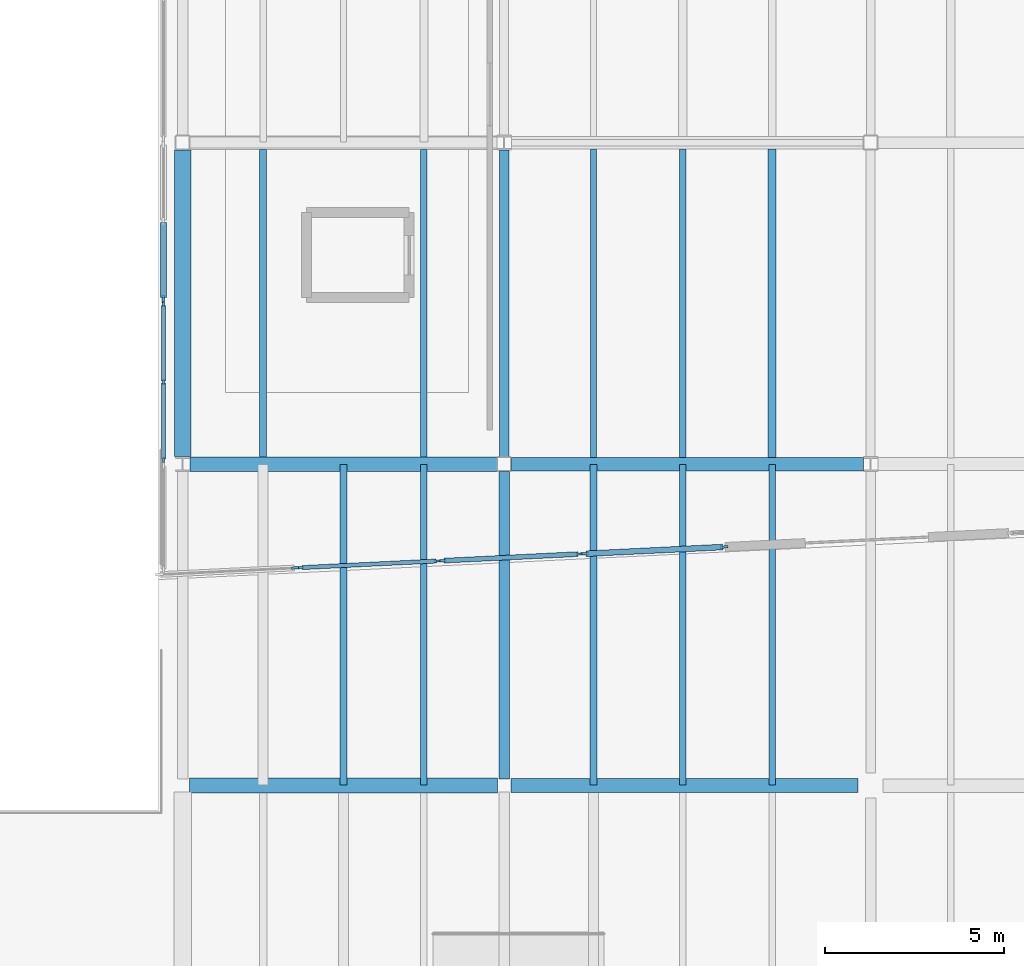
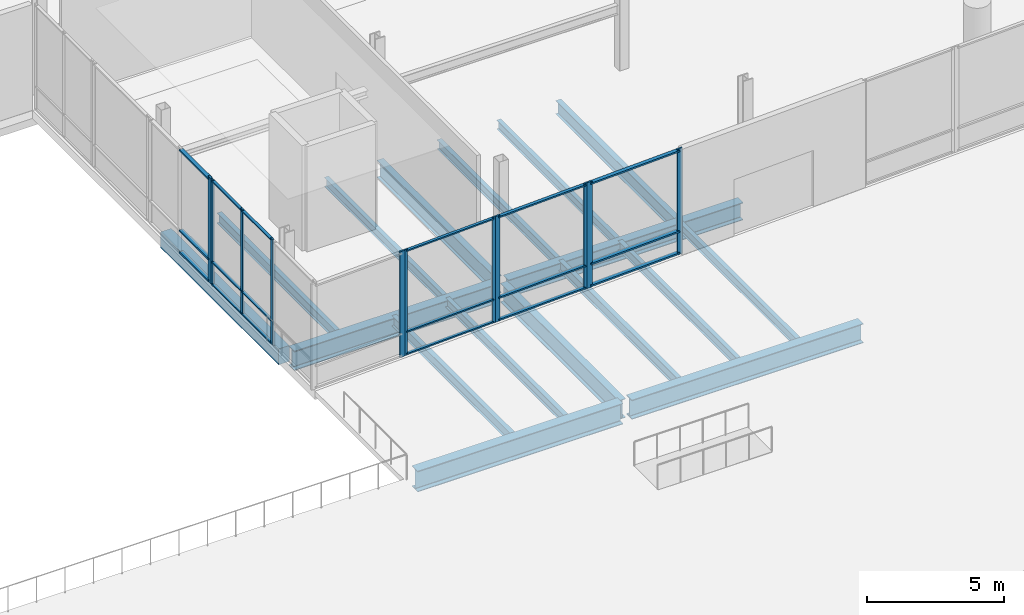
# One storey, part 21 of 88: 29 members, 17 beams, 6 elements without a shape of their own.
"""IFC4 building model written with IfcOpenShell, lengths in metres."""

from ifc_helpers import new_model, si_unit, direction, frame, origin, origin_2d, place, context, subcontext, project, spatial, rectangle, i_section, extrude, material, material_profile, profile_set, type_object, element, aggregate, save


model = new_model("IFC4")

# Units and contexts
model_context = context("Model", 3, precision=1e-05, world=origin(), true_north=direction((0.0, 1.0)))
body_context = subcontext(model_context, "Body", "Model", "MODEL_VIEW")
ifc_project = project(units=[si_unit("LENGTHUNIT", "METRE"), si_unit("AREAUNIT", "SQUARE_METRE"), si_unit("VOLUMEUNIT", "CUBIC_METRE"), si_unit("PLANEANGLEUNIT", "RADIAN"), si_unit("MASSUNIT", "GRAM", prefix="KILO")], contexts=[model_context])

# Site, building, storey
site_placement = place(None, origin())
site = spatial("IfcSite", under=ifc_project, at=site_placement, CompositionType="ELEMENT")
building_placement = place(site_placement, origin())
building = spatial("IfcBuilding", under=site, at=building_placement, Name="Trimount Lyric Opera House", CompositionType="ELEMENT")
storey_placement = place(building_placement, origin())
storey = spatial("IfcBuildingStorey", under=building, at=storey_placement, Name="L00", CompositionType="ELEMENT", Elevation=0.0)

# Beams
ifc_material_1 = material(Name="Steel ASTM A992 Grade 50", Category="steel")
ifc_material_profile_1 = material_profile(ifc_material_1, i_section(OverallWidth=0.4189453125, OverallDepth=0.927001953125, WebThickness=0.019287109375, FlangeThickness=0.031982421875, FilletRadius=0.02392578125, at=origin_2d()), Name="W36X231")
ifc_profile_set_1 = profile_set([ifc_material_profile_1], Name="Steel ASTM A992 Grade 50")
beam_type_1 = type_object("IfcBeamType", Name="B-02", PredefinedType="BEAM", material=ifc_profile_set_1)
beam_1_placement = place(storey_placement, frame((45.18408203125, 17.0, -0.70361328125), z_axis=(1.0, 0.0, 0.0), x_axis=(0.0, 1.0, 0.0)))
element("IfcBeam", 1, at=beam_1_placement, inside=storey, type_object=beam_type_1, Name="L00 girder X-0040", PredefinedType="BEAM", context=body_context, shape_type="SweptSolid", body=[
    extrude(i_section(OverallWidth=0.4189453125, OverallDepth=0.927001953125, WebThickness=0.019287109375, FlangeThickness=0.031982421875, FilletRadius=0.02392578125, at=origin_2d()), origin(), (0.0, 0.0, 1.0), 8.62939453125),
])
ifc_material_2 = material(Name="Steel ASTM A992 Grade 50", Category="steel")
ifc_material_profile_2 = material_profile(ifc_material_2, i_section(OverallWidth=0.40087890625, OverallDepth=0.861083984375, WebThickness=0.019775390625, FlangeThickness=0.032470703125, FilletRadius=0.02001953125, at=origin_2d()), Name="W33X221")
ifc_profile_set_2 = profile_set([ifc_material_profile_2], Name="Steel ASTM A992 Grade 50")
beam_type_2 = type_object("IfcBeamType", Name="B-04", PredefinedType="BEAM", material=ifc_profile_set_2)
beam_2_placement = place(storey_placement, frame((54.1865234375, 17.0, -0.67041015625), z_axis=(1.0, 0.0, 0.0), x_axis=(0.0, 1.0, 0.0)))
element("IfcBeam", 2, at=beam_2_placement, inside=storey, type_object=beam_type_2, Name="L00 girder X-0041", PredefinedType="BEAM", context=body_context, shape_type="SweptSolid", body=[
    extrude(i_section(OverallWidth=0.40087890625, OverallDepth=0.861083984375, WebThickness=0.019775390625, FlangeThickness=0.032470703125, FilletRadius=0.02001953125, at=origin_2d()), origin(), (0.0, 0.0, 1.0), 9.723388671875),
])
beam_3_placement = place(storey_placement, frame((45.202880859375, 26.0, -0.810546875), z_axis=(1.0, 0.0, 0.0), x_axis=(0.0, 1.0, 0.0)))
element("IfcBeam", 3, at=beam_3_placement, inside=storey, type_object=beam_type_2, Name="L00 girder X-0055", PredefinedType="BEAM", context=body_context, shape_type="SweptSolid", body=[
    extrude(i_section(OverallWidth=0.40087890625, OverallDepth=0.861083984375, WebThickness=0.019775390625, FlangeThickness=0.032470703125, FilletRadius=0.02001953125, at=origin_2d()), origin(), (0.0, 0.0, 1.0), 8.593994140625),
])
ifc_material_3 = material(Name="Steel ASTM A992 Grade 50", Category="steel")
ifc_material_profile_3 = material_profile(ifc_material_3, i_section(OverallWidth=0.2919921875, OverallDepth=0.845947265625, WebThickness=0.015380859375, FlangeThickness=0.0244140625, FilletRadius=0.01806640625, at=origin_2d()), Name="W33X141")
ifc_profile_set_3 = profile_set([ifc_material_profile_3], Name="Steel ASTM A992 Grade 50")
beam_type_3 = type_object("IfcBeamType", Name="B-05", PredefinedType="BEAM", material=ifc_profile_set_3)
beam_4_placement = place(storey_placement, frame((54.0, 17.18408203125, -0.802978515625), z_axis=(0.0, 1.0, 0.0), x_axis=(-1.0, 0.0, 0.0)))
element("IfcBeam", 4, at=beam_4_placement, inside=storey, type_object=beam_type_3, Name="L00 girder Y-0298", PredefinedType="BEAM", context=body_context, shape_type="SweptSolid", body=[
    extrude(i_section(OverallWidth=0.2919921875, OverallDepth=0.845947265625, WebThickness=0.015380859375, FlangeThickness=0.0244140625, FilletRadius=0.01806640625, at=origin_2d()), origin(), (0.0, 0.0, 1.0), 8.61279296875),
])
ifc_material_4 = material(Name="Steel ASTM A992 Grade 50", Category="steel")
ifc_material_profile_4 = material_profile(ifc_material_4, i_section(OverallWidth=0.382080078125, OverallDepth=0.779052734375, WebThickness=0.01806640625, FlangeThickness=0.0302734375, FilletRadius=0.01904296875, at=origin_2d()), Name="W30X191")
ifc_profile_set_4 = profile_set([ifc_material_profile_4], Name="Steel ASTM A992 Grade 50")
beam_type_4 = type_object("IfcBeamType", Name="B-06", PredefinedType="BEAM", material=ifc_profile_set_4)
beam_5_placement = place(storey_placement, frame((54.203125, 26.0, -0.76953125), z_axis=(1.0, 0.0, 0.0), x_axis=(0.0, 1.0, 0.0)))
element("IfcBeam", 5, at=beam_5_placement, inside=storey, type_object=beam_type_4, Name="L00 girder X-0056", PredefinedType="BEAM", context=body_context, shape_type="SweptSolid", body=[
    extrude(i_section(OverallWidth=0.382080078125, OverallDepth=0.779052734375, WebThickness=0.01806640625, FlangeThickness=0.0302734375, FilletRadius=0.01904296875, at=origin_2d()), origin(), (0.0, 0.0, 1.0), 9.853759765625),
])
ifc_material_5 = material(Name="Steel ASTM A992 Grade 50", Category="steel")
ifc_material_profile_5 = material_profile(ifc_material_5, i_section(OverallWidth=0.26708984375, OverallDepth=0.761962890625, WebThickness=0.014404296875, FlangeThickness=0.021484375, FilletRadius=0.01708984375, at=origin_2d()), Name="W30X116")
ifc_profile_set_5 = profile_set([ifc_material_profile_5], Name="Steel ASTM A992 Grade 50")
beam_type_5 = type_object("IfcBeamType", Name="B-07", PredefinedType="BEAM", material=ifc_profile_set_5)
beam_6_placement = place(storey_placement, frame((54.0, 26.203125, -0.760986328125), z_axis=(0.0, 1.0, 0.0), x_axis=(-1.0, 0.0, 0.0)))
element("IfcBeam", 6, at=beam_6_placement, inside=storey, type_object=beam_type_5, Name="L00 girder Y-0299", PredefinedType="BEAM", context=body_context, shape_type="SweptSolid", body=[
    extrude(i_section(OverallWidth=0.26708984375, OverallDepth=0.761962890625, WebThickness=0.014404296875, FlangeThickness=0.021484375, FilletRadius=0.01708984375, at=origin_2d()), origin(), (0.0, 0.0, 1.0), 8.58837890625),
])
ifc_material_6 = material(Name="Steel ASTM A992 Grade 50", Category="steel")
ifc_material_profile_6 = material_profile(ifc_material_6, i_section(OverallWidth=0.22802734375, OverallDepth=0.60205078125, WebThickness=0.010498046875, FlangeThickness=0.014892578125, FilletRadius=0.012939453125, at=origin_2d()), Name="W24X68")
ifc_profile_set_6 = profile_set([ifc_material_profile_6], Name="Steel ASTM A992 Grade 50")
beam_type_6 = type_object("IfcBeamType", Name="J-01", PredefinedType="BEAM", material=ifc_profile_set_6)
beam_7_placement = place(storey_placement, frame((61.5, 26.18701171875, -0.680908203125), z_axis=(0.0, 1.0, 0.0), x_axis=(-1.0, 0.0, 0.0)))
element("IfcBeam", 7, at=beam_7_placement, inside=storey, type_object=beam_type_6, Name="L00 composite floor joist 0165", PredefinedType="BEAM", context=body_context, shape_type="SweptSolid", body=[
    extrude(i_section(OverallWidth=0.22802734375, OverallDepth=0.60205078125, WebThickness=0.010498046875, FlangeThickness=0.014892578125, FilletRadius=0.012939453125, at=origin_2d()), origin(), (0.0, 0.0, 1.0), 8.638916015625),
])
ifc_material_7 = material(Name="Steel ASTM A992 Grade 50", Category="steel")
ifc_material_profile_7 = material_profile(ifc_material_7, i_section(OverallWidth=0.19091796875, OverallDepth=0.45703125, WebThickness=0.009033203125, FlangeThickness=0.014404296875, FilletRadius=0.010986328125, at=origin_2d()), Name="W18X50")
ifc_profile_set_7 = profile_set([ifc_material_profile_7], Name="Steel ASTM A992 Grade 50")
beam_type_7 = type_object("IfcBeamType", Name="J-04", PredefinedType="BEAM", material=ifc_profile_set_7)
beam_8_placement = place(storey_placement, frame((49.5, 17.011962890625, -0.6083984375), z_axis=(0.0, 1.0, 0.0), x_axis=(-1.0, 0.0, 0.0)))
element("IfcBeam", 8, at=beam_8_placement, inside=storey, type_object=beam_type_7, Name="L00 composite floor joist 0123", PredefinedType="BEAM", context=body_context, shape_type="SweptSolid", body=[
    extrude(i_section(OverallWidth=0.19091796875, OverallDepth=0.45703125, WebThickness=0.009033203125, FlangeThickness=0.014404296875, FilletRadius=0.010986328125, at=origin_2d()), origin(), (0.0, 0.0, 1.0), 8.97607421875),
])
beam_9_placement = place(storey_placement, frame((47.25, 26.196533203125, -0.6083984375), z_axis=(0.0, 1.0, 0.0), x_axis=(-1.0, 0.0, 0.0)))
element("IfcBeam", 9, at=beam_9_placement, inside=storey, type_object=beam_type_7, Name="L00 composite floor joist 0125", PredefinedType="BEAM", context=body_context, shape_type="SweptSolid", body=[
    extrude(i_section(OverallWidth=0.19091796875, OverallDepth=0.45703125, WebThickness=0.009033203125, FlangeThickness=0.014404296875, FilletRadius=0.010986328125, at=origin_2d()), origin(), (0.0, 0.0, 1.0), 8.616455078125),
])
beam_10_placement = place(storey_placement, frame((56.5, 17.011962890625, -0.6083984375), z_axis=(0.0, 1.0, 0.0), x_axis=(-1.0, 0.0, 0.0)))
element("IfcBeam", 10, at=beam_10_placement, inside=storey, type_object=beam_type_7, Name="L00 composite floor joist 0160", PredefinedType="BEAM", context=body_context, shape_type="SweptSolid", body=[
    extrude(i_section(OverallWidth=0.19091796875, OverallDepth=0.45703125, WebThickness=0.009033203125, FlangeThickness=0.014404296875, FilletRadius=0.010986328125, at=origin_2d()), origin(), (0.0, 0.0, 1.0), 8.97607421875),
])
ifc_material_8 = material(Name="Steel ASTM A992 Grade 50", Category="steel")
ifc_material_profile_8 = material_profile(ifc_material_8, i_section(OverallWidth=0.180908203125, OverallDepth=0.4169921875, WebThickness=0.010986328125, FlangeThickness=0.018310546875, FilletRadius=0.010986328125, at=origin_2d()), Name="W16X57")
ifc_profile_set_8 = profile_set([ifc_material_profile_8], Name="Steel ASTM A992 Grade 50")
beam_type_8 = type_object("IfcBeamType", Name="J-05", PredefinedType="BEAM", material=ifc_profile_set_8)
for number, where, z_axis, x_axis, name in (
    (11, (51.75, 17.011962890625, -0.58837890625), (0.0, 1.0, 0.0), (-1.0, 0.0, 0.0), "L00 composite floor joist 0124"),
    (12, (59.0, 17.011962890625, -0.58837890625), (0.0, 1.0, 0.0), (-1.0, 0.0, 0.0), "L00 composite floor joist 0161"),
):
    element("IfcBeam", number, at=place(storey_placement, frame(where, z_axis=z_axis, x_axis=x_axis)), inside=storey, type_object=beam_type_8, Name=name, PredefinedType="BEAM", context=body_context, shape_type="SweptSolid", body=[
        extrude(i_section(OverallWidth=0.180908203125, OverallDepth=0.4169921875, WebThickness=0.010986328125, FlangeThickness=0.018310546875, FilletRadius=0.010986328125, at=origin_2d()), origin(), (0.0, 0.0, 1.0), 8.97607421875),
    ])
beam_11_placement = place(storey_placement, frame((56.5, 26.18701171875, -0.58837890625), z_axis=(0.0, 1.0, 0.0), x_axis=(-1.0, 0.0, 0.0)))
element("IfcBeam", 13, at=beam_11_placement, inside=storey, type_object=beam_type_8, Name="L00 composite floor joist 0163", PredefinedType="BEAM", context=body_context, shape_type="SweptSolid", body=[
    extrude(i_section(OverallWidth=0.180908203125, OverallDepth=0.4169921875, WebThickness=0.010986328125, FlangeThickness=0.018310546875, FilletRadius=0.010986328125, at=origin_2d()), origin(), (0.0, 0.0, 1.0), 8.638916015625),
])
ifc_material_9 = material(Name="Steel ASTM A992 Grade 50", Category="steel")
ifc_material_profile_9 = material_profile(ifc_material_9, i_section(OverallWidth=0.177978515625, OverallDepth=0.404052734375, WebThickness=0.007568359375, FlangeThickness=0.010986328125, FilletRadius=0.010009765625, at=origin_2d()), Name="W16X36")
ifc_profile_set_9 = profile_set([ifc_material_profile_9], Name="Steel ASTM A992 Grade 50")
beam_type_9 = type_object("IfcBeamType", Name="J-06", PredefinedType="BEAM", material=ifc_profile_set_9)
beam_12_placement = place(storey_placement, frame((51.75, 26.196533203125, -0.58203125), z_axis=(0.0, 1.0, 0.0), x_axis=(-1.0, 0.0, 0.0)))
element("IfcBeam", 14, at=beam_12_placement, inside=storey, type_object=beam_type_9, Name="L00 composite floor joist 0126", PredefinedType="BEAM", context=body_context, shape_type="SweptSolid", body=[
    extrude(i_section(OverallWidth=0.177978515625, OverallDepth=0.404052734375, WebThickness=0.007568359375, FlangeThickness=0.010986328125, FilletRadius=0.010009765625, at=origin_2d()), origin(), (0.0, 0.0, 1.0), 8.616455078125),
])
beam_13_placement = place(storey_placement, frame((61.5, 17.011962890625, -0.58203125), z_axis=(0.0, 1.0, 0.0), x_axis=(-1.0, 0.0, 0.0)))
element("IfcBeam", 15, at=beam_13_placement, inside=storey, type_object=beam_type_9, Name="L00 composite floor joist 0162", PredefinedType="BEAM", context=body_context, shape_type="SweptSolid", body=[
    extrude(i_section(OverallWidth=0.177978515625, OverallDepth=0.404052734375, WebThickness=0.007568359375, FlangeThickness=0.010986328125, FilletRadius=0.010009765625, at=origin_2d()), origin(), (0.0, 0.0, 1.0), 8.97607421875),
])
beam_14_placement = place(storey_placement, frame((59.0, 26.18701171875, -0.58203125), z_axis=(0.0, 1.0, 0.0), x_axis=(-1.0, 0.0, 0.0)))
element("IfcBeam", 16, at=beam_14_placement, inside=storey, type_object=beam_type_9, Name="L00 composite floor joist 0164", PredefinedType="BEAM", context=body_context, shape_type="SweptSolid", body=[
    extrude(i_section(OverallWidth=0.177978515625, OverallDepth=0.404052734375, WebThickness=0.007568359375, FlangeThickness=0.010986328125, FilletRadius=0.010009765625, at=origin_2d()), origin(), (0.0, 0.0, 1.0), 8.638916015625),
])

# Curtain wall, members
ifc_material_10 = material(Name="Thermally Broken Aluminium and Low-E Glass", Category="aluminium")
curtain_wall_type = type_object("IfcCurtainWallType", Name="CW-01", PredefinedType="NOTDEFINED", material=ifc_material_10)
curtain_wall_1_placement = place(storey_placement, origin())
curtain_wall_1 = element("IfcCurtainWall", 17, at=curtain_wall_1_placement, inside=storey, type_object=curtain_wall_type, Name="L00 curtain wall 024", PredefinedType="NOTDEFINED")
ifc_material_11 = material(Name="Anodised Aluminium 6063-T6", Category="aluminium")
ifc_material_profile_10 = material_profile(ifc_material_11, rectangle(XDim=0.070068359375, YDim=0.219970703125, at=origin_2d()), Name="ALU-MULL-70X220")
ifc_profile_set_10 = profile_set([ifc_material_profile_10], Name="Anodised Aluminium 6063-T6")
member_type_1 = type_object("IfcMemberType", Name="ML-01", PredefinedType="MULLION", material=ifc_profile_set_10)
member_1_placement = place(storey_placement, frame((60.150146484375, 23.67919921875, 0.0), z_axis=(0.0, 0.0, 1.0), x_axis=(0.048832800304, -0.998806967144, 0.0)))
member_1 = element("IfcMember", 18, at=member_1_placement, type_object=member_type_1, Name="CW-01 mullion 1", PredefinedType="MULLION", context=body_context, shape_type="SweptSolid", body=[
    extrude(rectangle(XDim=0.070068359375, YDim=0.219970703125, at=origin_2d()), origin(), (0.0, 0.0, 1.0), 4.699951171875),
])
member_2_placement = place(storey_placement, frame((56.251953125, 23.48876953125, 0.0), z_axis=(0.0, 0.0, 1.0), x_axis=(0.048832800304, -0.998806967144, 0.0)))
member_2 = element("IfcMember", 19, at=member_2_placement, type_object=member_type_1, Name="CW-01 mullion 2", PredefinedType="MULLION", context=body_context, shape_type="SweptSolid", body=[
    extrude(rectangle(XDim=0.070068359375, YDim=0.219970703125, at=origin_2d()), origin(), (0.0, 0.0, 1.0), 4.699951171875),
])

# Curtain wall, member
curtain_wall_2_placement = place(storey_placement, origin())
curtain_wall_2 = element("IfcCurtainWall", 20, at=curtain_wall_2_placement, inside=storey, type_object=curtain_wall_type, Name="L00 curtain wall 027", PredefinedType="NOTDEFINED")
member_3_placement = place(storey_placement, frame((48.156005859375, 23.09423828125, 0.0), z_axis=(0.0, 0.0, 1.0), x_axis=(0.048678684537, -0.998814490119, 0.0)))
member_3 = element("IfcMember", 21, at=member_3_placement, type_object=member_type_1, Name="CW-01 mullion 1", PredefinedType="MULLION", context=body_context, shape_type="SweptSolid", body=[
    extrude(rectangle(XDim=0.070068359375, YDim=0.219970703125, at=origin_2d()), origin(), (0.0, 0.0, 1.0), 4.699951171875),
])
aggregate(curtain_wall_2, [member_3])

curtain_wall_3_placement = place(storey_placement, origin())
curtain_wall_3 = element("IfcCurtainWall", 22, at=curtain_wall_3_placement, inside=storey, type_object=curtain_wall_type, Name="L00 curtain wall 030", PredefinedType="NOTDEFINED")
member_4_placement = place(storey_placement, frame((44.4599609375, 30.625, 0.0), z_axis=(0.0, 0.0, 1.0), x_axis=(-1.0, 0.0, 0.0)))
member_4 = element("IfcMember", 23, at=member_4_placement, type_object=member_type_1, Name="CW-01 mullion 1", PredefinedType="MULLION", context=body_context, shape_type="SweptSolid", body=[
    extrude(rectangle(XDim=0.070068359375, YDim=0.219970703125, at=origin_2d()), origin(), (0.0, 0.0, 1.0), 4.699951171875),
])

# Curtain wall, members
curtain_wall_4_placement = place(storey_placement, origin())
curtain_wall_4 = element("IfcCurtainWall", 24, at=curtain_wall_4_placement, inside=storey, type_object=curtain_wall_type, Name="L00 curtain wall 025", PredefinedType="NOTDEFINED")
ifc_material_12 = material(Name="Anodised Aluminium 6063-T6", Category="aluminium")
ifc_material_profile_11 = material_profile(ifc_material_12, rectangle(XDim=0.06494140625, YDim=0.179931640625, at=origin_2d()), Name="ALU-MULL-65X180")
ifc_profile_set_11 = profile_set([ifc_material_profile_11], Name="Anodised Aluminium 6063-T6")
member_type_2 = type_object("IfcMemberType", Name="ML-02", PredefinedType="MULLION", material=ifc_profile_set_11)
member_5_placement = place(storey_placement, frame((56.094482421875, 23.4814453125, 0.0), z_axis=(0.0, 0.0, 1.0), x_axis=(0.048678684537, -0.998814490119, 0.0)))
member_5 = element("IfcMember", 25, at=member_5_placement, type_object=member_type_2, Name="CW-01 mullion 1", PredefinedType="MULLION", context=body_context, shape_type="SweptSolid", body=[
    extrude(rectangle(XDim=0.06494140625, YDim=0.179931640625, at=origin_2d()), origin(), (0.0, 0.0, 1.0), 4.699951171875),
])
member_6_placement = place(storey_placement, frame((52.281494140625, 23.295654296875, 0.0), z_axis=(0.0, 0.0, 1.0), x_axis=(0.048678684537, -0.998814490119, 0.0)))
member_6 = element("IfcMember", 26, at=member_6_placement, type_object=member_type_2, Name="CW-01 mullion 2", PredefinedType="MULLION", context=body_context, shape_type="SweptSolid", body=[
    extrude(rectangle(XDim=0.06494140625, YDim=0.179931640625, at=origin_2d()), origin(), (0.0, 0.0, 1.0), 4.699951171875),
])

curtain_wall_5_placement = place(storey_placement, origin())
curtain_wall_5 = element("IfcCurtainWall", 27, at=curtain_wall_5_placement, inside=storey, type_object=curtain_wall_type, Name="L00 curtain wall 026", PredefinedType="NOTDEFINED")
ifc_material_13 = material(Name="Anodised Aluminium 6063-T6", Category="aluminium")
ifc_material_profile_12 = material_profile(ifc_material_13, rectangle(XDim=0.06005859375, YDim=0.14990234375, at=origin_2d()), Name="ALU-MULL-60X150")
ifc_profile_set_12 = profile_set([ifc_material_profile_12], Name="Anodised Aluminium 6063-T6")
member_type_3 = type_object("IfcMemberType", Name="ML-03", PredefinedType="MULLION", material=ifc_profile_set_12)
member_7_placement = place(storey_placement, frame((52.129150390625, 23.28759765625, 0.0), z_axis=(0.0, 0.0, 1.0), x_axis=(0.048678684537, -0.998814490119, 0.0)))
member_7 = element("IfcMember", 28, at=member_7_placement, type_object=member_type_3, Name="CW-01 mullion 1", PredefinedType="MULLION", context=body_context, shape_type="SweptSolid", body=[
    extrude(rectangle(XDim=0.06005859375, YDim=0.14990234375, at=origin_2d()), origin(), (0.0, 0.0, 1.0), 4.699951171875),
])
member_8_placement = place(storey_placement, frame((48.31103515625, 23.1015625, 0.0), z_axis=(0.0, 0.0, 1.0), x_axis=(0.048678684537, -0.998814490119, 0.0)))
member_8 = element("IfcMember", 29, at=member_8_placement, type_object=member_type_3, Name="CW-01 mullion 2", PredefinedType="MULLION", context=body_context, shape_type="SweptSolid", body=[
    extrude(rectangle(XDim=0.06005859375, YDim=0.14990234375, at=origin_2d()), origin(), (0.0, 0.0, 1.0), 4.699951171875),
])

curtain_wall_6_placement = place(storey_placement, origin())
curtain_wall_6 = element("IfcCurtainWall", 30, at=curtain_wall_6_placement, inside=storey, type_object=curtain_wall_type, Name="L00 curtain wall 029", PredefinedType="NOTDEFINED")
member_9_placement = place(storey_placement, frame((44.4599609375, 26.1201171875, 0.0), z_axis=(0.0, 0.0, 1.0), x_axis=(-1.0, 0.0, 0.0)))
member_9 = element("IfcMember", 31, at=member_9_placement, type_object=member_type_3, Name="CW-01 mullion 1", PredefinedType="MULLION", context=body_context, shape_type="SweptSolid", body=[
    extrude(rectangle(XDim=0.06005859375, YDim=0.14990234375, at=origin_2d()), origin(), (0.0, 0.0, 1.0), 4.699951171875),
])
member_10_placement = place(storey_placement, frame((44.4599609375, 28.294921875, 0.0), z_axis=(0.0, 0.0, 1.0), x_axis=(-1.0, 0.0, 0.0)))
member_10 = element("IfcMember", 32, at=member_10_placement, type_object=member_type_3, Name="CW-01 mullion 2", PredefinedType="MULLION", context=body_context, shape_type="SweptSolid", body=[
    extrude(rectangle(XDim=0.06005859375, YDim=0.14990234375, at=origin_2d()), origin(), (0.0, 0.0, 1.0), 4.699951171875),
])
member_11_placement = place(storey_placement, frame((44.4599609375, 30.469970703125, 0.0), z_axis=(0.0, 0.0, 1.0), x_axis=(-1.0, 0.0, 0.0)))
member_11 = element("IfcMember", 33, at=member_11_placement, type_object=member_type_3, Name="CW-01 mullion 3", PredefinedType="MULLION", context=body_context, shape_type="SweptSolid", body=[
    extrude(rectangle(XDim=0.06005859375, YDim=0.14990234375, at=origin_2d()), origin(), (0.0, 0.0, 1.0), 4.699951171875),
])

# Beam
ifc_material_14 = material(Name="Concrete C40/50", Category="concrete")
ifc_material_profile_13 = material_profile(ifc_material_14, rectangle(XDim=0.449951171875, YDim=0.699951171875, at=origin_2d()), Name="RC450X700")
ifc_profile_set_13 = profile_set([ifc_material_profile_13], Name="Concrete C40/50")
beam_type_10 = type_object("IfcBeamType", Name="SP-02", PredefinedType="SPANDREL", material=ifc_profile_set_13)
beam_15_placement = place(storey_placement, frame((45.0, 26.20849609375, -0.72998046875), z_axis=(0.0, 1.0, 0.0), x_axis=(-1.0, 0.0, 0.0)))
element("IfcBeam", 34, at=beam_15_placement, inside=storey, type_object=beam_type_10, Name="L00 girder Y-0286", PredefinedType="SPANDREL", context=body_context, shape_type="SweptSolid", body=[
    extrude(rectangle(XDim=0.449951171875, YDim=0.699951171875, at=origin_2d()), origin(), (0.0, 0.0, 1.0), 8.58837890625),
])

# Member
ifc_material_15 = material(Name="Anodised Aluminium 6063-T6", Category="aluminium")
ifc_material_profile_14 = material_profile(ifc_material_15, rectangle(XDim=0.159912109375, YDim=0.070068359375, at=origin_2d()), Name="ALU-TRAN-70X160")
ifc_profile_set_14 = profile_set([ifc_material_profile_14], Name="Anodised Aluminium 6063-T6")
member_type_4 = type_object("IfcMemberType", Name="TR-01", PredefinedType="USERDEFINED", material=ifc_profile_set_14)
member_12_placement = place(storey_placement, frame((60.114990234375, 23.677490234375, 0.080078125), z_axis=(-0.998808870623, -0.048793851715, 0.0), x_axis=(0.048793851715, -0.998808870623, 0.0)))
member_12 = element("IfcMember", 35, at=member_12_placement, type_object=member_type_4, Name="CW-01 transom 1.1", ObjectType="TRANSOM", PredefinedType="USERDEFINED", context=body_context, shape_type="SweptSolid", body=[
    extrude(rectangle(XDim=0.159912109375, YDim=0.070068359375, at=origin_2d()), origin(), (0.0, 0.0, 1.0), 3.832763671875),
])

member_13_placement = place(storey_placement, frame((60.114990234375, 23.677490234375, 1.050048828125), z_axis=(-0.998808870623, -0.048793851715, 0.0), x_axis=(0.048793851715, -0.998808870623, 0.0)))
member_13 = element("IfcMember", 36, at=member_13_placement, type_object=member_type_4, Name="CW-01 transom 1.2", ObjectType="TRANSOM", PredefinedType="USERDEFINED", context=body_context, shape_type="SweptSolid", body=[
    extrude(rectangle(XDim=0.159912109375, YDim=0.070068359375, at=origin_2d()), origin(), (0.0, 0.0, 1.0), 3.832763671875),
])

member_14_placement = place(storey_placement, frame((60.114990234375, 23.677490234375, 4.6201171875), z_axis=(-0.998808870623, -0.048793851715, 0.0), x_axis=(0.048793851715, -0.998808870623, 0.0)))
member_14 = element("IfcMember", 37, at=member_14_placement, type_object=member_type_4, Name="CW-01 transom 1.3", ObjectType="TRANSOM", PredefinedType="USERDEFINED", context=body_context, shape_type="SweptSolid", body=[
    extrude(rectangle(XDim=0.159912109375, YDim=0.070068359375, at=origin_2d()), origin(), (0.0, 0.0, 1.0), 3.832763671875),
])

aggregate(curtain_wall_1, [member_1, member_2, member_12, member_13, member_14])

member_15_placement = place(storey_placement, frame((44.4599609375, 30.659912109375, 0.080078125), z_axis=(0.0, 1.0, 0.0), x_axis=(-1.0, 0.0, 0.0)))
member_15 = element("IfcMember", 38, at=member_15_placement, type_object=member_type_4, Name="CW-01 transom 1.1", ObjectType="TRANSOM", PredefinedType="USERDEFINED", context=body_context, shape_type="SweptSolid", body=[
    extrude(rectangle(XDim=0.159912109375, YDim=0.070068359375, at=origin_2d()), origin(), (0.0, 0.0, 1.0), 2.10009765625),
])

member_16_placement = place(storey_placement, frame((44.4599609375, 30.659912109375, 1.050048828125), z_axis=(0.0, 1.0, 0.0), x_axis=(-1.0, 0.0, 0.0)))
member_16 = element("IfcMember", 39, at=member_16_placement, type_object=member_type_4, Name="CW-01 transom 1.2", ObjectType="TRANSOM", PredefinedType="USERDEFINED", context=body_context, shape_type="SweptSolid", body=[
    extrude(rectangle(XDim=0.159912109375, YDim=0.070068359375, at=origin_2d()), origin(), (0.0, 0.0, 1.0), 2.10009765625),
])

member_17_placement = place(storey_placement, frame((44.4599609375, 30.659912109375, 4.6201171875), z_axis=(0.0, 1.0, 0.0), x_axis=(-1.0, 0.0, 0.0)))
member_17 = element("IfcMember", 40, at=member_17_placement, type_object=member_type_4, Name="CW-01 transom 1.3", ObjectType="TRANSOM", PredefinedType="USERDEFINED", context=body_context, shape_type="SweptSolid", body=[
    extrude(rectangle(XDim=0.159912109375, YDim=0.070068359375, at=origin_2d()), origin(), (0.0, 0.0, 1.0), 2.10009765625),
])

aggregate(curtain_wall_3, [member_4, member_15, member_16, member_17])

ifc_material_16 = material(Name="Anodised Aluminium 6063-T6", Category="aluminium")
ifc_material_profile_15 = material_profile(ifc_material_16, rectangle(XDim=0.135009765625, YDim=0.06494140625, at=origin_2d()), Name="ALU-TRAN-65X135")
ifc_profile_set_15 = profile_set([ifc_material_profile_15], Name="Anodised Aluminium 6063-T6")
member_type_5 = type_object("IfcMemberType", Name="TR-02", PredefinedType="USERDEFINED", material=ifc_profile_set_15)
member_18_placement = place(storey_placement, frame((56.06201171875, 23.479736328125, 0.0673828125), z_axis=(-0.99881512955, -0.048665562591, 0.0), x_axis=(0.048665562591, -0.99881512955, 0.0)))
member_18 = element("IfcMember", 41, at=member_18_placement, type_object=member_type_5, Name="CW-01 transom 1.1", ObjectType="TRANSOM", PredefinedType="USERDEFINED", context=body_context, shape_type="SweptSolid", body=[
    extrude(rectangle(XDim=0.135009765625, YDim=0.06494140625, at=origin_2d()), origin(), (0.0, 0.0, 1.0), 3.75244140625),
])

member_19_placement = place(storey_placement, frame((56.06201171875, 23.479736328125, 1.050048828125), z_axis=(-0.99881512955, -0.048665562591, 0.0), x_axis=(0.048665562591, -0.99881512955, 0.0)))
member_19 = element("IfcMember", 42, at=member_19_placement, type_object=member_type_5, Name="CW-01 transom 1.2", ObjectType="TRANSOM", PredefinedType="USERDEFINED", context=body_context, shape_type="SweptSolid", body=[
    extrude(rectangle(XDim=0.135009765625, YDim=0.06494140625, at=origin_2d()), origin(), (0.0, 0.0, 1.0), 3.75244140625),
])

member_20_placement = place(storey_placement, frame((56.06201171875, 23.479736328125, 4.632568359375), z_axis=(-0.99881512955, -0.048665562591, 0.0), x_axis=(0.048665562591, -0.99881512955, 0.0)))
member_20 = element("IfcMember", 43, at=member_20_placement, type_object=member_type_5, Name="CW-01 transom 1.3", ObjectType="TRANSOM", PredefinedType="USERDEFINED", context=body_context, shape_type="SweptSolid", body=[
    extrude(rectangle(XDim=0.135009765625, YDim=0.06494140625, at=origin_2d()), origin(), (0.0, 0.0, 1.0), 3.75244140625),
])

aggregate(curtain_wall_4, [member_5, member_6, member_18, member_19, member_20])

ifc_material_17 = material(Name="Anodised Aluminium 6063-T6", Category="aluminium")
ifc_material_profile_16 = material_profile(ifc_material_17, rectangle(XDim=0.114990234375, YDim=0.06005859375, at=origin_2d()), Name="ALU-TRAN-60X115")
ifc_profile_set_16 = profile_set([ifc_material_profile_16], Name="Anodised Aluminium 6063-T6")
member_type_6 = type_object("IfcMemberType", Name="TR-03", PredefinedType="USERDEFINED", material=ifc_profile_set_16)
member_21_placement = place(storey_placement, frame((52.09912109375, 23.2861328125, 0.0576171875), z_axis=(-0.998815275815, -0.048662560534, 0.0), x_axis=(0.048662560534, -0.998815275815, 0.0)))
member_21 = element("IfcMember", 44, at=member_21_placement, type_object=member_type_6, Name="CW-01 transom 1.1", ObjectType="TRANSOM", PredefinedType="USERDEFINED", context=body_context, shape_type="SweptSolid", body=[
    extrude(rectangle(XDim=0.114990234375, YDim=0.06005859375, at=origin_2d()), origin(), (0.0, 0.0, 1.0), 3.7626953125),
])

member_22_placement = place(storey_placement, frame((52.09912109375, 23.2861328125, 1.050048828125), z_axis=(-0.998815275815, -0.048662560534, 0.0), x_axis=(0.048662560534, -0.998815275815, 0.0)))
member_22 = element("IfcMember", 45, at=member_22_placement, type_object=member_type_6, Name="CW-01 transom 1.2", ObjectType="TRANSOM", PredefinedType="USERDEFINED", context=body_context, shape_type="SweptSolid", body=[
    extrude(rectangle(XDim=0.114990234375, YDim=0.06005859375, at=origin_2d()), origin(), (0.0, 0.0, 1.0), 3.7626953125),
])

member_23_placement = place(storey_placement, frame((52.09912109375, 23.2861328125, 4.642578125), z_axis=(-0.998815275815, -0.048662560534, 0.0), x_axis=(0.048662560534, -0.998815275815, 0.0)))
member_23 = element("IfcMember", 46, at=member_23_placement, type_object=member_type_6, Name="CW-01 transom 1.3", ObjectType="TRANSOM", PredefinedType="USERDEFINED", context=body_context, shape_type="SweptSolid", body=[
    extrude(rectangle(XDim=0.114990234375, YDim=0.06005859375, at=origin_2d()), origin(), (0.0, 0.0, 1.0), 3.7626953125),
])

aggregate(curtain_wall_5, [member_7, member_8, member_21, member_22, member_23])

member_24_placement = place(storey_placement, frame((44.4599609375, 26.14990234375, 0.0576171875), z_axis=(0.0, 1.0, 0.0), x_axis=(-1.0, 0.0, 0.0)))
member_24 = element("IfcMember", 47, at=member_24_placement, type_object=member_type_6, Name="CW-01 transom 1.1", ObjectType="TRANSOM", PredefinedType="USERDEFINED", context=body_context, shape_type="SweptSolid", body=[
    extrude(rectangle(XDim=0.114990234375, YDim=0.06005859375, at=origin_2d()), origin(), (0.0, 0.0, 1.0), 2.114990234375),
])

member_25_placement = place(storey_placement, frame((44.4599609375, 26.14990234375, 1.050048828125), z_axis=(0.0, 1.0, 0.0), x_axis=(-1.0, 0.0, 0.0)))
member_25 = element("IfcMember", 48, at=member_25_placement, type_object=member_type_6, Name="CW-01 transom 1.2", ObjectType="TRANSOM", PredefinedType="USERDEFINED", context=body_context, shape_type="SweptSolid", body=[
    extrude(rectangle(XDim=0.114990234375, YDim=0.06005859375, at=origin_2d()), origin(), (0.0, 0.0, 1.0), 2.114990234375),
])

member_26_placement = place(storey_placement, frame((44.4599609375, 26.14990234375, 4.642578125), z_axis=(0.0, 1.0, 0.0), x_axis=(-1.0, 0.0, 0.0)))
member_26 = element("IfcMember", 49, at=member_26_placement, type_object=member_type_6, Name="CW-01 transom 1.3", ObjectType="TRANSOM", PredefinedType="USERDEFINED", context=body_context, shape_type="SweptSolid", body=[
    extrude(rectangle(XDim=0.114990234375, YDim=0.06005859375, at=origin_2d()), origin(), (0.0, 0.0, 1.0), 2.114990234375),
])

member_27_placement = place(storey_placement, frame((44.4599609375, 28.324951171875, 0.0576171875), z_axis=(0.0, 1.0, 0.0), x_axis=(-1.0, 0.0, 0.0)))
member_27 = element("IfcMember", 50, at=member_27_placement, type_object=member_type_6, Name="CW-01 transom 2.1", ObjectType="TRANSOM", PredefinedType="USERDEFINED", context=body_context, shape_type="SweptSolid", body=[
    extrude(rectangle(XDim=0.114990234375, YDim=0.06005859375, at=origin_2d()), origin(), (0.0, 0.0, 1.0), 2.114990234375),
])

member_28_placement = place(storey_placement, frame((44.4599609375, 28.324951171875, 1.050048828125), z_axis=(0.0, 1.0, 0.0), x_axis=(-1.0, 0.0, 0.0)))
member_28 = element("IfcMember", 51, at=member_28_placement, type_object=member_type_6, Name="CW-01 transom 2.2", ObjectType="TRANSOM", PredefinedType="USERDEFINED", context=body_context, shape_type="SweptSolid", body=[
    extrude(rectangle(XDim=0.114990234375, YDim=0.06005859375, at=origin_2d()), origin(), (0.0, 0.0, 1.0), 2.114990234375),
])

member_29_placement = place(storey_placement, frame((44.4599609375, 28.324951171875, 4.642578125), z_axis=(0.0, 1.0, 0.0), x_axis=(-1.0, 0.0, 0.0)))
member_29 = element("IfcMember", 52, at=member_29_placement, type_object=member_type_6, Name="CW-01 transom 2.3", ObjectType="TRANSOM", PredefinedType="USERDEFINED", context=body_context, shape_type="SweptSolid", body=[
    extrude(rectangle(XDim=0.114990234375, YDim=0.06005859375, at=origin_2d()), origin(), (0.0, 0.0, 1.0), 2.114990234375),
])

aggregate(curtain_wall_6, [member_9, member_10, member_11, member_24, member_25, member_26, member_27, member_28, member_29])

save(model, "model.ifc")
